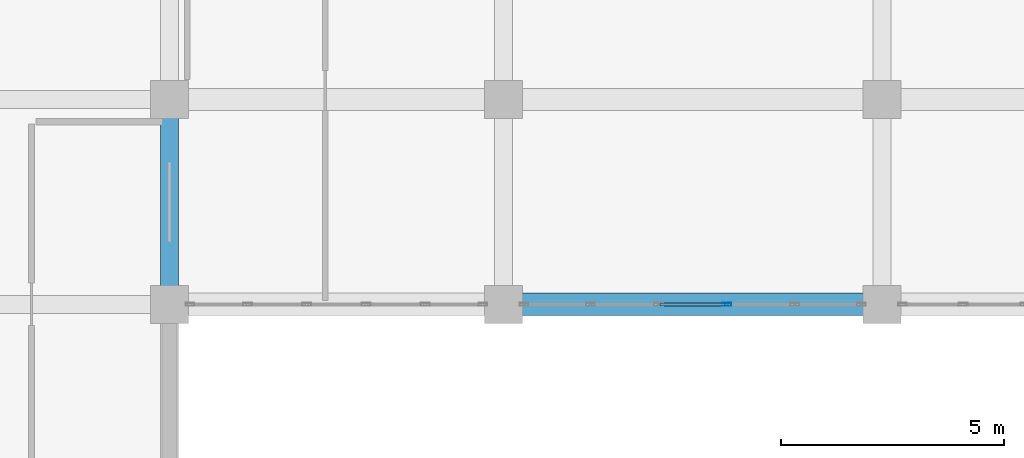
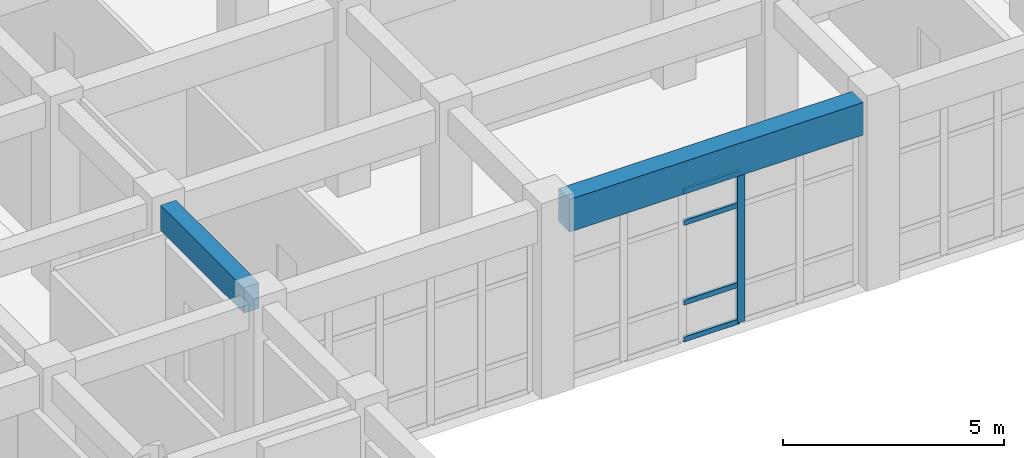
# One storey, part 19 of 84: 5 members, 2 beams, 1 element without a shape of its own.
"""IFC4 building model written with IfcOpenShell, lengths in metres."""

from ifc_helpers import new_model, si_unit, direction, frame, origin, origin_2d, place, context, subcontext, project, spatial, rectangle, hollow_rectangle, extrude, material, layer, layer_set, material_profile, profile_set, type_object, element, aggregate, save


model = new_model("IFC4")

# Units and contexts
model_context = context("Model", 3, precision=1e-05, world=origin(), true_north=direction((0.0, 1.0)))
body_context = subcontext(model_context, "Body", "Model", "MODEL_VIEW")
ifc_project = project(units=[si_unit("LENGTHUNIT", "METRE"), si_unit("AREAUNIT", "SQUARE_METRE"), si_unit("VOLUMEUNIT", "CUBIC_METRE"), si_unit("PLANEANGLEUNIT", "RADIAN"), si_unit("MASSUNIT", "GRAM", prefix="KILO")], contexts=[model_context])

# Site, building, storey
site_placement = place(None, origin())
site = spatial("IfcSite", under=ifc_project, at=site_placement, CompositionType="ELEMENT")
building_placement = place(site_placement, origin())
building = spatial("IfcBuilding", under=site, at=building_placement, Name="Muzn Square Opera House", CompositionType="ELEMENT")
storey_placement = place(building_placement, origin())
storey = spatial("IfcBuildingStorey", under=building, at=storey_placement, Name="L00", CompositionType="ELEMENT", Elevation=0.0)

# Curtain wall, members
ifc_material_1 = material(Name="Low-E laminated acoustic double glazing", Category="glass")
ifc_layer = layer(ifc_material_1, 0.159912109375, Name="Low-E laminated acoustic double glazing", Category="glass")
ifc_layer_set = layer_set([ifc_layer], Name="Low-E laminated acoustic double glazing")
curtain_wall_type = type_object("IfcCurtainWallType", Name="Glazed Curtain Wall WestCloisterN 7650x4150", PredefinedType="USERDEFINED", material=ifc_layer_set)
curtain_wall_placement = place(storey_placement, origin())
curtain_wall = element("IfcCurtainWall", 1, at=curtain_wall_placement, inside=storey, type_object=curtain_wall_type, Name="Glazed Curtain Wall CW-L00-072", ObjectType="GLAZED CURTAIN WALL", PredefinedType="USERDEFINED")
ifc_material_2 = material(Name="Anodised bronze aluminium 6063-T6", Category="metal")
ifc_material_profile_1 = material_profile(ifc_material_2, hollow_rectangle(XDim=0.070068359375, YDim=0.199951171875, WallThickness=0.0048828125, at=origin_2d()), Name="ALU 200x70x5", Category="metal")
ifc_profile_set_1 = profile_set([ifc_material_profile_1], Name="Anodised bronze aluminium 6063-T6")
member_type_1 = type_object("IfcMemberType", Name="Curtain Wall Mullion 200x70", PredefinedType="MULLION", material=ifc_profile_set_1)
member_1_placement = place(storey_placement, frame((31.514892578125, 54.199951171875, 0.0), z_axis=(0.0, 0.0, 1.0), x_axis=(0.0, 1.0, 0.0)))
member_1 = element("IfcMember", 2, at=member_1_placement, type_object=member_type_1, Name="CW-WCN-76x41 mullion 4", PredefinedType="MULLION", context=body_context, shape_type="SweptSolid", body=[
    extrude(hollow_rectangle(XDim=0.070068359375, YDim=0.199951171875, WallThickness=0.0048828125, at=origin_2d()), origin(), (0.0, 0.0, 1.0), 4.14990234375),
])
ifc_material_profile_2 = material_profile(ifc_material_2, hollow_rectangle(XDim=0.070068359375, YDim=0.139892578125, WallThickness=0.00390625, at=origin_2d()), Name="ALU 140x70x4", Category="metal")
ifc_profile_set_2 = profile_set([ifc_material_profile_2], Name="Anodised bronze aluminium 6063-T6")
member_type_2 = type_object("IfcMemberType", Name="Curtain Wall Transom 140x70", PredefinedType="USERDEFINED", material=ifc_profile_set_2)
member_2_placement = place(storey_placement, frame((30.02001953125, 54.199951171875, 0.034912109375), z_axis=(1.0, 0.0, 0.0), x_axis=(0.0, 1.0, 0.0)))
member_2 = element("IfcMember", 3, at=member_2_placement, type_object=member_type_2, Name="CW-WCN-76x41 transom 3.1", ObjectType="TRANSOM", PredefinedType="USERDEFINED", context=body_context, shape_type="SweptSolid", body=[
    extrude(hollow_rectangle(XDim=0.070068359375, YDim=0.139892578125, WallThickness=0.00390625, at=origin_2d()), origin(), (0.0, 0.0, 1.0), 1.4599609375),
])
member_3_placement = place(storey_placement, frame((30.02001953125, 54.199951171875, 1.050048828125), z_axis=(1.0, 0.0, 0.0), x_axis=(0.0, 1.0, 0.0)))
member_3 = element("IfcMember", 4, at=member_3_placement, type_object=member_type_2, Name="CW-WCN-76x41 transom 3.2", ObjectType="TRANSOM", PredefinedType="USERDEFINED", context=body_context, shape_type="SweptSolid", body=[
    extrude(hollow_rectangle(XDim=0.070068359375, YDim=0.139892578125, WallThickness=0.00390625, at=origin_2d()), origin(), (0.0, 0.0, 1.0), 1.4599609375),
])
member_4_placement = place(storey_placement, frame((30.02001953125, 54.199951171875, 3.25), z_axis=(1.0, 0.0, 0.0), x_axis=(0.0, 1.0, 0.0)))
member_4 = element("IfcMember", 5, at=member_4_placement, type_object=member_type_2, Name="CW-WCN-76x41 transom 3.3", ObjectType="TRANSOM", PredefinedType="USERDEFINED", context=body_context, shape_type="SweptSolid", body=[
    extrude(hollow_rectangle(XDim=0.070068359375, YDim=0.139892578125, WallThickness=0.00390625, at=origin_2d()), origin(), (0.0, 0.0, 1.0), 1.4599609375),
])
member_5_placement = place(storey_placement, frame((30.02001953125, 54.199951171875, 4.114990234375), z_axis=(1.0, 0.0, 0.0), x_axis=(0.0, 1.0, 0.0)))
member_5 = element("IfcMember", 6, at=member_5_placement, type_object=member_type_2, Name="CW-WCN-76x41 transom 3.4", ObjectType="TRANSOM", PredefinedType="USERDEFINED", context=body_context, shape_type="SweptSolid", body=[
    extrude(hollow_rectangle(XDim=0.070068359375, YDim=0.139892578125, WallThickness=0.00390625, at=origin_2d()), origin(), (0.0, 0.0, 1.0), 1.4599609375),
])
aggregate(curtain_wall, [member_1, member_2, member_3, member_4, member_5])

# Beams
ifc_material_3 = material(Name="Concrete C40/50", Category="concrete")
ifc_material_profile_3 = material_profile(ifc_material_3, rectangle(XDim=0.39990234375, YDim=0.699951171875, at=origin_2d()), Name="RCB 400x700", Category="concrete")
ifc_profile_set_3 = profile_set([ifc_material_profile_3], Name="Concrete C40/50")
beam_type_1 = type_object("IfcBeamType", Name="Primary Girder 400x700", PredefinedType="BEAM", material=ifc_profile_set_3)
beam_1_placement = place(storey_placement, frame((19.0, 54.616943359375, 4.77001953125), z_axis=(0.0, 1.0, 0.0), x_axis=(-1.0, 0.0, 0.0)))
element("IfcBeam", 7, at=beam_1_placement, inside=storey, type_object=beam_type_1, Name="Primary Girder BM-L00-BM-PG700-190_546_190_584-987", PredefinedType="BEAM", context=body_context, shape_type="SweptSolid", body=[
    extrude(rectangle(XDim=0.39990234375, YDim=0.699951171875, at=origin_2d()), origin(), (0.0, 0.0, 1.0), 3.76611328125),
])
ifc_material_profile_4 = material_profile(ifc_material_3, rectangle(XDim=0.5, YDim=0.89990234375, at=origin_2d()), Name="RCB 500x900", Category="concrete")
ifc_profile_set_4 = profile_set([ifc_material_profile_4], Name="Concrete C40/50")
beam_type_2 = type_object("IfcBeamType", Name="Primary Girder 500x900", PredefinedType="BEAM", material=ifc_profile_set_4)
beam_2_placement = place(storey_placement, frame((26.9169921875, 54.199951171875, 4.669921875), z_axis=(1.0, 0.0, 0.0), x_axis=(0.0, 1.0, 0.0)))
element("IfcBeam", 8, at=beam_2_placement, inside=storey, type_object=beam_type_2, Name="Primary Girder BM-L00-BM-PG900-269_542_346_542-842", PredefinedType="BEAM", context=body_context, shape_type="SweptSolid", body=[
    extrude(rectangle(XDim=0.5, YDim=0.89990234375, at=origin_2d()), origin(), (0.0, 0.0, 1.0), 7.666015625),
])

save(model, "model.ifc")
